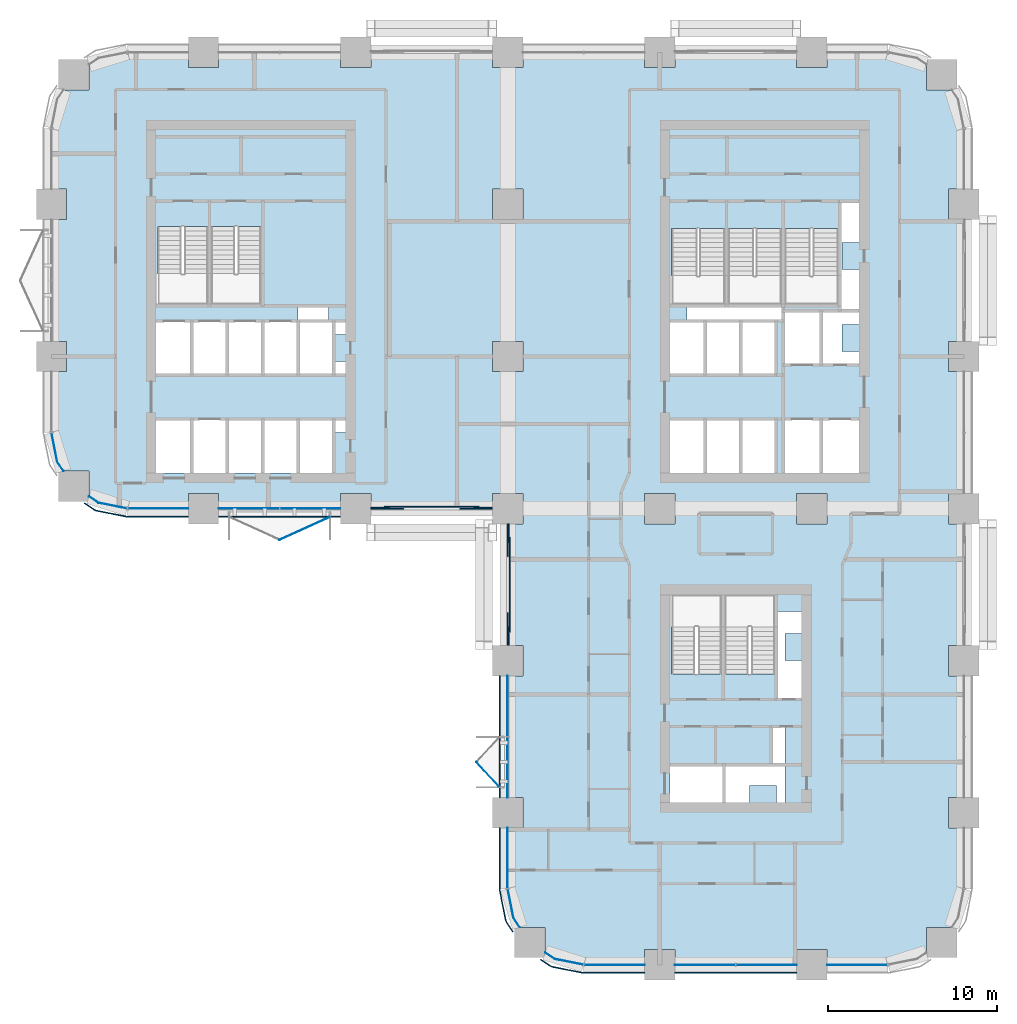
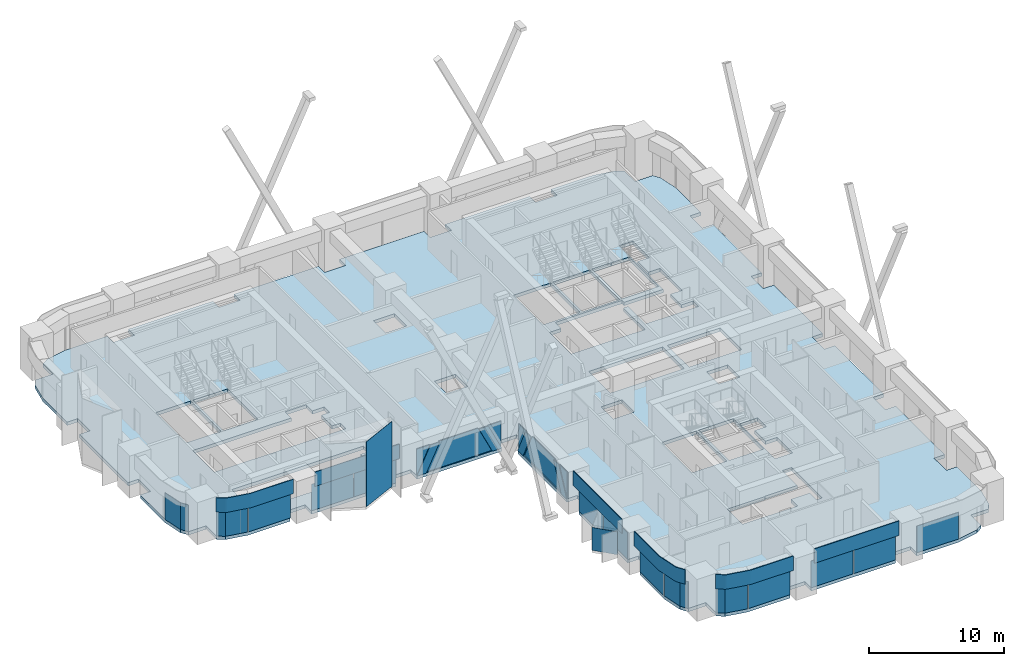
# One storey, part 9 of 19: 32 plates, 1 slab, 10 elements without a shape of their own.
"""IFC4 building model written with IfcOpenShell, lengths in metres."""

from ifc_helpers import new_model, si_unit, direction, frame, origin, origin_2d, place, context, subcontext, project, spatial, polyline, rectangle, outline, extrude, material, layer, layer_set, type_object, element, aggregate, save


model = new_model("IFC4")

# Units and contexts
model_context = context("Model", 3, precision=1e-05, world=origin(), true_north=direction((0.0, 1.0)))
body_context = subcontext(model_context, "Body", "Model", "MODEL_VIEW")
ifc_project = project(units=[si_unit("LENGTHUNIT", "METRE"), si_unit("AREAUNIT", "SQUARE_METRE"), si_unit("VOLUMEUNIT", "CUBIC_METRE"), si_unit("PLANEANGLEUNIT", "RADIAN"), si_unit("MASSUNIT", "GRAM", prefix="KILO")], contexts=[model_context])

# Site, building, storey
site_placement = place(None, origin())
site = spatial("IfcSite", under=ifc_project, at=site_placement, CompositionType="ELEMENT")
building_placement = place(site_placement, origin())
building = spatial("IfcBuilding", under=site, at=building_placement, Name="Tessera Arch", CompositionType="ELEMENT")
storey_placement = place(building_placement, frame((0.0, 0.0, 108.199951171875)))
storey = spatial("IfcBuildingStorey", under=building, at=storey_placement, Name="L25", CompositionType="ELEMENT", Elevation=108.199951171875)

# Curtain wall, plates
ifc_material_1 = material(Name="CW1 curtain wall")
curtain_wall_type_1 = type_object("IfcCurtainWallType", Name="CW1 curtain wall", PredefinedType="NOTDEFINED", material=ifc_material_1)
curtain_wall_1_placement = place(storey_placement, origin())
curtain_wall_1 = element("IfcCurtainWall", 1, at=curtain_wall_1_placement, inside=storey, type_object=curtain_wall_type_1, Name="CW1 curtain wall S27.0/1 L25", PredefinedType="NOTDEFINED")
ifc_material_2 = material(Name="Clear low-e glass", Category="glass")
ifc_material_3 = material(Name="Clear low-e glass", Category="glass")
ifc_layer_1 = layer(ifc_material_3, 0.028076171875)
ifc_layer_set_1 = layer_set([ifc_layer_1], Name="CW1 glass panel")
plate_type_1 = type_object("IfcPlateType", Name="CW1 glass panel", PredefinedType="CURTAIN_PANEL", material=ifc_layer_set_1)
plate_1_placement = place(storey_placement, frame((11.68505859375, 27.0, 0.0), z_axis=(0.0, 0.0, 1.0), x_axis=(1.0, 0.0, 0.0)))
plate_1 = element("IfcPlate", 2, at=plate_1_placement, type_object=plate_type_1, material=ifc_material_2, Name="CW1 glass panel S27.0/1 1.1.1", PredefinedType="CURTAIN_PANEL", context=body_context, shape_type="SweptSolid", body=[
    extrude(rectangle(XDim=3.570068359375, YDim=0.028076171875, at=origin_2d()), origin(), (0.0, 0.0, 1.0), 2.39990234375),
])
plate_2_placement = place(storey_placement, frame((15.31494140625, 27.0, 0.0), z_axis=(0.0, 0.0, 1.0), x_axis=(1.0, 0.0, 0.0)))
plate_2 = element("IfcPlate", 3, at=plate_2_placement, type_object=plate_type_1, material=ifc_material_2, Name="CW1 glass panel S27.0/1 1.2.1", PredefinedType="CURTAIN_PANEL", context=body_context, shape_type="SweptSolid", body=[
    extrude(rectangle(XDim=3.570068359375, YDim=0.028076171875, at=origin_2d()), origin(), (0.0, 0.0, 1.0), 2.39990234375),
])

curtain_wall_2_placement = place(storey_placement, origin())
curtain_wall_2 = element("IfcCurtainWall", 4, at=curtain_wall_2_placement, inside=storey, type_object=curtain_wall_type_1, Name="CW1 curtain wall W27.0/1 L25", PredefinedType="NOTDEFINED")
plate_3_placement = place(storey_placement, frame((27.0, 15.31494140625, 0.0), z_axis=(0.0, 0.0, 1.0), x_axis=(0.0, -1.0, 0.0)))
plate_3 = element("IfcPlate", 5, at=plate_3_placement, type_object=plate_type_1, material=ifc_material_2, Name="CW1 glass panel W27.0/1 1.1.1", PredefinedType="CURTAIN_PANEL", context=body_context, shape_type="SweptSolid", body=[
    extrude(rectangle(XDim=3.570068359375, YDim=0.028076171875, at=origin_2d()), origin(), (0.0, 0.0, 1.0), 2.39990234375),
])
plate_4_placement = place(storey_placement, frame((27.0, 11.68505859375, 0.0), z_axis=(0.0, 0.0, 1.0), x_axis=(0.0, -1.0, 0.0)))
plate_4 = element("IfcPlate", 6, at=plate_4_placement, type_object=plate_type_1, material=ifc_material_2, Name="CW1 glass panel W27.0/1 1.2.1", PredefinedType="CURTAIN_PANEL", context=body_context, shape_type="SweptSolid", body=[
    extrude(rectangle(XDim=3.570068359375, YDim=0.028076171875, at=origin_2d()), origin(), (0.0, 0.0, 1.0), 2.39990234375),
])

curtain_wall_3_placement = place(storey_placement, origin())
curtain_wall_3 = element("IfcCurtainWall", 7, at=curtain_wall_3_placement, inside=storey, type_object=curtain_wall_type_1, Name="CW1 curtain wall S0.27/1 L25", PredefinedType="NOTDEFINED")
plate_5_placement = place(storey_placement, frame((38.68505859375, 0.0, 0.0), z_axis=(0.0, 0.0, 1.0), x_axis=(1.0, 0.0, 0.0)))
plate_5 = element("IfcPlate", 8, at=plate_5_placement, type_object=plate_type_1, material=ifc_material_2, Name="CW1 glass panel S0.27/1 1.1.1", PredefinedType="CURTAIN_PANEL", context=body_context, shape_type="SweptSolid", body=[
    extrude(rectangle(XDim=3.570068359375, YDim=0.028076171875, at=origin_2d()), origin(), (0.0, 0.0, 1.0), 2.39990234375),
])
plate_6_placement = place(storey_placement, frame((42.31494140625, 0.0, 0.0), z_axis=(0.0, 0.0, 1.0), x_axis=(1.0, 0.0, 0.0)))
plate_6 = element("IfcPlate", 9, at=plate_6_placement, type_object=plate_type_1, material=ifc_material_2, Name="CW1 glass panel S0.27/1 1.2.1", PredefinedType="CURTAIN_PANEL", context=body_context, shape_type="SweptSolid", body=[
    extrude(rectangle(XDim=3.570068359375, YDim=0.028076171875, at=origin_2d()), origin(), (0.0, 0.0, 1.0), 2.39990234375),
])

# Plate
ifc_material_4 = material(Name="Pale anodised aluminium panel", Category="aluminium")
ifc_layer_2 = layer(ifc_material_4, 0.06005859375)
ifc_layer_set_2 = layer_set([ifc_layer_2], Name="CW1 spandrel panel")
plate_type_2 = type_object("IfcPlateType", Name="CW1 spandrel panel", PredefinedType="CURTAIN_PANEL", material=ifc_layer_set_2)
plate_7_placement = place(storey_placement, frame((13.5, 26.52001953125, 2.5), z_axis=(0.0, 0.0, 1.0), x_axis=(1.0, 0.0, 0.0)))
plate_7 = element("IfcPlate", 10, at=plate_7_placement, type_object=plate_type_2, Name="CW1 spandrel panel S27.0/1", PredefinedType="CURTAIN_PANEL", context=body_context, shape_type="SweptSolid", body=[
    extrude(rectangle(XDim=7.199951171875, YDim=0.06005859375, at=origin_2d()), origin(), (0.0, 0.0, 1.0), 1.300048828125),
])

aggregate(curtain_wall_1, [plate_1, plate_2, plate_7])

plate_8_placement = place(storey_placement, frame((26.52001953125, 13.5, 2.5), z_axis=(0.0, 0.0, 1.0), x_axis=(0.0, -1.0, 0.0)))
plate_8 = element("IfcPlate", 11, at=plate_8_placement, type_object=plate_type_2, Name="CW1 spandrel panel W27.0/1", PredefinedType="CURTAIN_PANEL", context=body_context, shape_type="SweptSolid", body=[
    extrude(rectangle(XDim=7.199951171875, YDim=0.06005859375, at=origin_2d()), origin(), (0.0, 0.0, 1.0), 1.300048828125),
])

aggregate(curtain_wall_2, [plate_3, plate_4, plate_8])

plate_9_placement = place(storey_placement, frame((40.5, -0.47998046875, 2.5), z_axis=(0.0, 0.0, 1.0), x_axis=(1.0, 0.0, 0.0)))
plate_9 = element("IfcPlate", 12, at=plate_9_placement, type_object=plate_type_2, Name="CW1 spandrel panel S0.27/1", PredefinedType="CURTAIN_PANEL", context=body_context, shape_type="SweptSolid", body=[
    extrude(rectangle(XDim=7.199951171875, YDim=0.06005859375, at=origin_2d()), origin(), (0.0, 0.0, 1.0), 1.300048828125),
])

aggregate(curtain_wall_3, [plate_5, plate_6, plate_9])

# Curtain wall, plate
ifc_material_5 = material(Name="CW2 curtain wall")
curtain_wall_type_2 = type_object("IfcCurtainWallType", Name="CW2 curtain wall", PredefinedType="NOTDEFINED", material=ifc_material_5)
curtain_wall_4_placement = place(storey_placement, origin())
curtain_wall_4 = element("IfcCurtainWall", 13, at=curtain_wall_4_placement, inside=storey, type_object=curtain_wall_type_2, Name="CW2 curtain wall W0.27/2 L25", PredefinedType="NOTDEFINED")
ifc_material_6 = material(Name="Clear low-e glass", Category="glass")
ifc_layer_3 = layer(ifc_material_6, 0.028076171875)
ifc_layer_set_3 = layer_set([ifc_layer_3], Name="CW2 glass panel")
plate_type_3 = type_object("IfcPlateType", Name="CW2 glass panel", PredefinedType="CURTAIN_PANEL", material=ifc_layer_set_3)
plate_10_placement = place(storey_placement, origin())
plate_10 = element("IfcPlate", 14, at=plate_10_placement, type_object=plate_type_3, material=ifc_material_2, Name="CW2 curved glass panel W0.27/2 2.1", PredefinedType="CURTAIN_PANEL", context=body_context, shape_type="SweptSolid", body=[
    extrude(outline(polyline([(0.355712890625, 29.783447265625), (0.021484375, 31.46337890625), (-0.005859375, 31.4580078125), (0.329345703125, 29.7724609375), (0.705078125, 29.210205078125), (0.728271484375, 29.225830078125), (0.355712890625, 29.783447265625)])), origin(), (0.0, 0.0, 1.0), 2.400146484375),
])
aggregate(curtain_wall_4, [plate_10])

# Curtain wall, plates
curtain_wall_5_placement = place(storey_placement, origin())
curtain_wall_5 = element("IfcCurtainWall", 15, at=curtain_wall_5_placement, inside=storey, type_object=curtain_wall_type_2, Name="CW2 curtain wall S27.0/0 L25", PredefinedType="NOTDEFINED")
plate_11_placement = place(storey_placement, frame((6.320068359375, 27.0, 0.0), z_axis=(0.0, 0.0, 1.0), x_axis=(1.0, 0.0, 0.0)))
plate_11 = element("IfcPlate", 16, at=plate_11_placement, type_object=plate_type_3, material=ifc_material_2, Name="CW2 glass panel S27.0/0 1.1", PredefinedType="CURTAIN_PANEL", context=body_context, shape_type="SweptSolid", body=[
    extrude(rectangle(XDim=3.56005859375, YDim=0.028076171875, at=origin_2d()), origin(), (0.0, 0.0, 1.0), 2.39990234375),
])
plate_12_placement = place(storey_placement, origin())
plate_12 = element("IfcPlate", 17, at=plate_12_placement, type_object=plate_type_3, material=ifc_material_2, Name="CW2 curved glass panel S27.0/0 2.1", PredefinedType="CURTAIN_PANEL", context=body_context, shape_type="SweptSolid", body=[
    extrude(outline(polyline([(2.783447265625, 27.355712890625), (2.225830078125, 27.728271484375), (2.210205078125, 27.705078125), (2.7724609375, 27.329345703125), (4.4580078125, 26.994140625), (4.46337890625, 27.021484375), (2.783447265625, 27.355712890625)])), origin(), (0.0, 0.0, 1.0), 2.400146484375),
])

curtain_wall_6_placement = place(storey_placement, origin())
curtain_wall_6 = element("IfcCurtainWall", 18, at=curtain_wall_6_placement, inside=storey, type_object=curtain_wall_type_2, Name="CW2 curtain wall W27.0/2 L25", PredefinedType="NOTDEFINED")
plate_13_placement = place(storey_placement, frame((27.0, 6.320068359375, 0.0), z_axis=(0.0, 0.0, 1.0), x_axis=(0.0, -1.0, 0.0)))
plate_13 = element("IfcPlate", 19, at=plate_13_placement, type_object=plate_type_3, material=ifc_material_2, Name="CW2 glass panel W27.0/2 1.1", PredefinedType="CURTAIN_PANEL", context=body_context, shape_type="SweptSolid", body=[
    extrude(rectangle(XDim=3.56005859375, YDim=0.028076171875, at=origin_2d()), origin(), (0.0, 0.0, 1.0), 2.39990234375),
])
plate_14_placement = place(storey_placement, origin())
plate_14 = element("IfcPlate", 20, at=plate_14_placement, type_object=plate_type_3, material=ifc_material_2, Name="CW2 curved glass panel W27.0/2 2.1", PredefinedType="CURTAIN_PANEL", context=body_context, shape_type="SweptSolid", body=[
    extrude(outline(polyline([(27.355712890625, 2.783447265625), (27.021484375, 4.46337890625), (26.994140625, 4.4580078125), (27.329345703125, 2.7724609375), (27.705078125, 2.210205078125), (27.728271484375, 2.225830078125), (27.355712890625, 2.783447265625)])), origin(), (0.0, 0.0, 1.0), 2.400146484375),
])

curtain_wall_7_placement = place(storey_placement, origin())
curtain_wall_7 = element("IfcCurtainWall", 21, at=curtain_wall_7_placement, inside=storey, type_object=curtain_wall_type_2, Name="CW2 curtain wall S0.27/0 L25", PredefinedType="NOTDEFINED")
plate_15_placement = place(storey_placement, frame((33.320068359375, 0.0, 0.0), z_axis=(0.0, 0.0, 1.0), x_axis=(1.0, 0.0, 0.0)))
plate_15 = element("IfcPlate", 22, at=plate_15_placement, type_object=plate_type_3, material=ifc_material_2, Name="CW2 glass panel S0.27/0 1.1", PredefinedType="CURTAIN_PANEL", context=body_context, shape_type="SweptSolid", body=[
    extrude(rectangle(XDim=3.56005859375, YDim=0.028076171875, at=origin_2d()), origin(), (0.0, 0.0, 1.0), 2.39990234375),
])
plate_16_placement = place(storey_placement, origin())
plate_16 = element("IfcPlate", 23, at=plate_16_placement, type_object=plate_type_3, material=ifc_material_2, Name="CW2 curved glass panel S0.27/0 2.1", PredefinedType="CURTAIN_PANEL", context=body_context, shape_type="SweptSolid", body=[
    extrude(outline(polyline([(29.783447265625, 0.355712890625), (29.225830078125, 0.728271484375), (29.210205078125, 0.705078125), (29.7724609375, 0.329345703125), (31.4580078125, -0.005859375), (31.46337890625, 0.021484375), (29.783447265625, 0.355712890625)])), origin(), (0.0, 0.0, 1.0), 2.400146484375),
])

# Curtain wall, plate
curtain_wall_8_placement = place(storey_placement, origin())
curtain_wall_8 = element("IfcCurtainWall", 24, at=curtain_wall_8_placement, inside=storey, type_object=curtain_wall_type_2, Name="CW2 curtain wall S0.27/2 L25", PredefinedType="NOTDEFINED")
plate_17_placement = place(storey_placement, frame((47.679931640625, 0.0, 0.0), z_axis=(0.0, 0.0, 1.0), x_axis=(1.0, 0.0, 0.0)))
plate_17 = element("IfcPlate", 25, at=plate_17_placement, type_object=plate_type_3, material=ifc_material_2, Name="CW2 glass panel S0.27/2 1.1", PredefinedType="CURTAIN_PANEL", context=body_context, shape_type="SweptSolid", body=[
    extrude(rectangle(XDim=3.56005859375, YDim=0.028076171875, at=origin_2d()), origin(), (0.0, 0.0, 1.0), 2.39990234375),
])
aggregate(curtain_wall_8, [plate_17])

# Plate
ifc_material_7 = material(Name="Pale anodised aluminium panel", Category="aluminium")
ifc_layer_4 = layer(ifc_material_7, 0.06005859375)
ifc_layer_set_4 = layer_set([ifc_layer_4], Name="CW2 spandrel panel")
plate_type_4 = type_object("IfcPlateType", Name="CW2 spandrel panel", PredefinedType="CURTAIN_PANEL", material=ifc_layer_set_4)
plate_18_placement = place(storey_placement, frame((0.0, 0.0, 2.5)))
plate_18 = element("IfcPlate", 26, at=plate_18_placement, type_object=plate_type_4, Name="CW2 spandrel panel S27.0/0", PredefinedType="CURTAIN_PANEL", context=body_context, shape_type="SweptSolid", body=[
    extrude(outline(polyline([(2.52734375, 26.96875), (1.968017578125, 27.342529296875), (1.9345703125, 27.292724609375), (2.4951171875, 26.91796875), (2.537353515625, 26.892822265625), (2.582763671875, 26.871337890625), (2.6298828125, 26.8544921875), (2.677734375, 26.842529296875), (4.401123046875, 26.499755859375), (4.449951171875, 26.492431640625), (4.499267578125, 26.489990234375), (8.10009765625, 26.489990234375), (8.10009765625, 26.550048828125), (4.500732421875, 26.550048828125), (4.455810546875, 26.55224609375), (4.411376953125, 26.558837890625), (2.69091796875, 26.90087890625), (2.647216796875, 26.911865234375), (2.605712890625, 26.9267578125), (2.565673828125, 26.94580078125), (2.52734375, 26.96875)])), origin(), (0.0, 0.0, 1.0), 1.300048828125),
])

aggregate(curtain_wall_5, [plate_11, plate_12, plate_18])

plate_19_placement = place(storey_placement, frame((0.0, 0.0, 2.5)))
plate_19 = element("IfcPlate", 27, at=plate_19_placement, type_object=plate_type_4, Name="CW2 spandrel panel W27.0/2", PredefinedType="CURTAIN_PANEL", context=body_context, shape_type="SweptSolid", body=[
    extrude(outline(polyline([(26.550048828125, 4.500732421875), (26.550048828125, 8.10009765625), (26.489990234375, 8.10009765625), (26.489990234375, 4.499267578125), (26.492431640625, 4.449951171875), (26.499755859375, 4.401123046875), (26.842529296875, 2.677734375), (26.8544921875, 2.6298828125), (26.871337890625, 2.582763671875), (26.892822265625, 2.537353515625), (26.91796875, 2.4951171875), (27.292724609375, 1.9345703125), (27.342529296875, 1.968017578125), (26.96875, 2.52734375), (26.94580078125, 2.565673828125), (26.9267578125, 2.605712890625), (26.911865234375, 2.647216796875), (26.90087890625, 2.69091796875), (26.558837890625, 4.411376953125), (26.55224609375, 4.455810546875), (26.550048828125, 4.500732421875)])), origin(), (0.0, 0.0, 1.0), 1.300048828125),
])

aggregate(curtain_wall_6, [plate_13, plate_14, plate_19])

plate_20_placement = place(storey_placement, frame((0.0, 0.0, 2.5)))
plate_20 = element("IfcPlate", 28, at=plate_20_placement, type_object=plate_type_4, Name="CW2 spandrel panel S0.27/0", PredefinedType="CURTAIN_PANEL", context=body_context, shape_type="SweptSolid", body=[
    extrude(outline(polyline([(29.52734375, -0.03125), (28.968017578125, 0.342529296875), (28.9345703125, 0.292724609375), (29.4951171875, -0.08203125), (29.537353515625, -0.107177734375), (29.582763671875, -0.128662109375), (29.6298828125, -0.1455078125), (29.677734375, -0.157470703125), (31.401123046875, -0.500244140625), (31.449951171875, -0.507568359375), (31.499267578125, -0.510009765625), (35.10009765625, -0.510009765625), (35.10009765625, -0.449951171875), (31.500732421875, -0.449951171875), (31.455810546875, -0.44775390625), (31.411376953125, -0.441162109375), (29.69091796875, -0.09912109375), (29.647216796875, -0.088134765625), (29.605712890625, -0.0732421875), (29.565673828125, -0.05419921875), (29.52734375, -0.03125)])), origin(), (0.0, 0.0, 1.0), 1.300048828125),
])

aggregate(curtain_wall_7, [plate_15, plate_16, plate_20])

# Curtain wall, plates
ifc_material_8 = material(Name="CW3 curtain wall")
curtain_wall_type_3 = type_object("IfcCurtainWallType", Name="CW3 curtain wall", PredefinedType="NOTDEFINED", material=ifc_material_8)
curtain_wall_9_placement = place(storey_placement, origin())
curtain_wall_9 = element("IfcCurtainWall", 29, at=curtain_wall_9_placement, inside=storey, type_object=curtain_wall_type_3, Name="CW3 curtain wall S27.0/2 L25", PredefinedType="NOTDEFINED")
ifc_material_9 = material(Name="Pale anodised aluminium panel", Category="aluminium")
ifc_layer_5 = layer(ifc_material_9, 0.06005859375)
ifc_layer_set_5 = layer_set([ifc_layer_5], Name="CW3 diagonal panel")
plate_type_5 = type_object("IfcPlateType", Name="CW3 diagonal panel", PredefinedType="CURTAIN_PANEL", material=ifc_layer_set_5)
plate_21_placement = place(storey_placement, frame((26.10009765625, 26.969970703125, 0.0), z_axis=(0.0, -1.0, 0.0), x_axis=(0.0, 0.0, 1.0)))
plate_21 = element("IfcPlate", 30, at=plate_21_placement, type_object=plate_type_5, Name="CW3 diagonal panel S27.0/2 1", PredefinedType="CURTAIN_PANEL", context=body_context, shape_type="SweptSolid", body=[
    extrude(outline(polyline([(0.0, 0.0), (0.033447265625, 0.0), (2.400146484375, 1.135986328125), (2.400146484375, 1.936279296875), (0.0, 0.7841796875), (0.0, 0.0)])), origin(), (0.0, 0.0, -1.0), 0.06005859375),
])
plate_22_placement = place(storey_placement, frame((20.836181640625, 26.969970703125, 2.400146484375), z_axis=(0.0, -1.0, 0.0), x_axis=(-1.0, 0.0, 0.0)))
plate_22 = element("IfcPlate", 31, at=plate_22_placement, type_object=plate_type_5, Name="CW3 diagonal panel S27.0/2 2", PredefinedType="CURTAIN_PANEL", context=body_context, shape_type="SweptSolid", body=[
    extrude(outline(polyline([(0.0, 0.0), (0.80029296875, 0.0), (1.936279296875, 2.36669921875), (1.936279296875, 2.400146484375), (1.152099609375, 2.400146484375), (0.0, 0.0)])), origin(), (0.0, 0.0, -1.0), 0.06005859375),
])
plate_23_placement = place(storey_placement, frame((18.89990234375, 27.030029296875, 2.400146484375), z_axis=(0.0, -1.0, 0.0), x_axis=(0.0, 0.0, -1.0)))
plate_23 = element("IfcPlate", 32, at=plate_23_placement, type_object=plate_type_5, Name="CW3 diagonal panel S27.0/2 3", PredefinedType="CURTAIN_PANEL", context=body_context, shape_type="SweptSolid", body=[
    extrude(outline(polyline([(0.0, 0.0), (2.36669921875, 0.0), (0.0, 1.135986328125), (0.0, 0.0)])), origin(), (0.0, 0.0, -1.0), 0.06005859375),
])
plate_24_placement = place(storey_placement, frame((24.163818359375, 27.090087890625, 2.400146484375), z_axis=(0.0, -1.0, 0.0), x_axis=(-1.0, 0.0, 0.0)))
plate_24 = element("IfcPlate", 33, at=plate_24_placement, type_object=plate_type_5, Name="CW3 diagonal panel S27.0/2 4", PredefinedType="CURTAIN_PANEL", context=body_context, shape_type="SweptSolid", body=[
    extrude(outline(polyline([(0.0, 0.0), (3.32763671875, 0.0), (4.479736328125, 2.400146484375), (-1.152099609375, 2.400146484375), (0.0, 0.0)])), origin(), (0.0, 0.0, -1.0), 0.06005859375),
])
plate_25_placement = place(storey_placement, frame((26.10009765625, 27.030029296875, 2.400146484375), z_axis=(0.0, -1.0, 0.0), x_axis=(-1.0, 0.0, 0.0)))
plate_25 = element("IfcPlate", 34, at=plate_25_placement, type_object=plate_type_5, Name="CW3 diagonal panel S27.0/2 5", PredefinedType="CURTAIN_PANEL", context=body_context, shape_type="SweptSolid", body=[
    extrude(outline(polyline([(0.0, 0.0), (1.135986328125, 0.0), (0.0, 2.36669921875), (0.0, 0.0)])), origin(), (0.0, 0.0, -1.0), 0.06005859375),
])
aggregate(curtain_wall_9, [plate_21, plate_22, plate_23, plate_24, plate_25])

curtain_wall_10_placement = place(storey_placement, origin())
curtain_wall_10 = element("IfcCurtainWall", 35, at=curtain_wall_10_placement, inside=storey, type_object=curtain_wall_type_3, Name="CW3 curtain wall W27.0/0 L25", PredefinedType="NOTDEFINED")
plate_26_placement = place(storey_placement, frame((26.969970703125, 18.89990234375, 0.0), z_axis=(-1.0, 0.0, 0.0), x_axis=(0.0, 0.0, 1.0)))
plate_26 = element("IfcPlate", 36, at=plate_26_placement, type_object=plate_type_5, Name="CW3 diagonal panel W27.0/0 1", PredefinedType="CURTAIN_PANEL", context=body_context, shape_type="SweptSolid", body=[
    extrude(outline(polyline([(0.0, 0.0), (0.033447265625, 0.0), (2.400146484375, 1.135986328125), (2.400146484375, 1.936279296875), (0.0, 0.7841796875), (0.0, 0.0)])), origin(), (0.0, 0.0, -1.0), 0.06005859375),
])
plate_27_placement = place(storey_placement, frame((26.969970703125, 24.163818359375, 2.400146484375), z_axis=(-1.0, 0.0, 0.0), x_axis=(0.0, 1.0, 0.0)))
plate_27 = element("IfcPlate", 37, at=plate_27_placement, type_object=plate_type_5, Name="CW3 diagonal panel W27.0/0 2", PredefinedType="CURTAIN_PANEL", context=body_context, shape_type="SweptSolid", body=[
    extrude(outline(polyline([(0.0, 0.0), (0.80029296875, 0.0), (1.936279296875, 2.36669921875), (1.936279296875, 2.400146484375), (1.152099609375, 2.400146484375), (0.0, 0.0)])), origin(), (0.0, 0.0, -1.0), 0.06005859375),
])
plate_28_placement = place(storey_placement, frame((27.030029296875, 26.10009765625, 2.400146484375), z_axis=(-1.0, 0.0, 0.0), x_axis=(0.0, 0.0, -1.0)))
plate_28 = element("IfcPlate", 38, at=plate_28_placement, type_object=plate_type_5, Name="CW3 diagonal panel W27.0/0 3", PredefinedType="CURTAIN_PANEL", context=body_context, shape_type="SweptSolid", body=[
    extrude(outline(polyline([(0.0, 0.0), (2.36669921875, 0.0), (0.0, 1.135986328125), (0.0, 0.0)])), origin(), (0.0, 0.0, -1.0), 0.06005859375),
])
plate_29_placement = place(storey_placement, frame((27.090087890625, 20.836181640625, 2.400146484375), z_axis=(-1.0, 0.0, 0.0), x_axis=(0.0, 1.0, 0.0)))
plate_29 = element("IfcPlate", 39, at=plate_29_placement, type_object=plate_type_5, Name="CW3 diagonal panel W27.0/0 4", PredefinedType="CURTAIN_PANEL", context=body_context, shape_type="SweptSolid", body=[
    extrude(outline(polyline([(0.0, 0.0), (3.32763671875, 0.0), (4.479736328125, 2.400146484375), (-1.152099609375, 2.400146484375), (0.0, 0.0)])), origin(), (0.0, 0.0, -1.0), 0.06005859375),
])
plate_30_placement = place(storey_placement, frame((27.030029296875, 18.89990234375, 2.400146484375), z_axis=(-1.0, 0.0, 0.0), x_axis=(0.0, 1.0, 0.0)))
plate_30 = element("IfcPlate", 40, at=plate_30_placement, type_object=plate_type_5, Name="CW3 diagonal panel W27.0/0 5", PredefinedType="CURTAIN_PANEL", context=body_context, shape_type="SweptSolid", body=[
    extrude(outline(polyline([(0.0, 0.0), (1.135986328125, 0.0), (0.0, 2.36669921875), (0.0, 0.0)])), origin(), (0.0, 0.0, -1.0), 0.06005859375),
])
aggregate(curtain_wall_10, [plate_26, plate_27, plate_28, plate_29, plate_30])

# Slab
ifc_material_10 = material(Name="Concrete C40/50", Category="concrete")
ifc_layer_6 = layer(ifc_material_10, 0.300048828125)
ifc_layer_set_6 = layer_set([ifc_layer_6], Name="Floor slab 300 Concrete C40/50")
slab_type = type_object("IfcSlabType", Name="Floor slab 300 Concrete C40/50", PredefinedType="FLOOR", material=ifc_layer_set_6)
slab_placement = place(storey_placement, frame((0.0, 0.0, -0.300048828125)))
element("IfcSlab", 41, at=slab_placement, inside=storey, type_object=slab_type, Name="Floor slab L25 1", PredefinedType="FLOOR", context=body_context, shape_type="SweptSolid", body=[
    extrude(outline(polyline([(49.5, 54.0), (51.22216796875, 53.657470703125), (51.781982421875, 53.283447265625), (51.781982421875, 51.781982421875), (53.283447265625, 51.781982421875), (53.657470703125, 51.22216796875), (54.0, 49.5), (54.0, 45.89990234375), (53.10009765625, 45.89990234375), (53.10009765625, 44.10009765625), (54.0, 44.10009765625), (54.0, 36.89990234375), (53.10009765625, 36.89990234375), (53.10009765625, 35.10009765625), (54.0, 35.10009765625), (54.0, 27.89990234375), (53.10009765625, 27.89990234375), (53.10009765625, 26.10009765625), (54.0, 26.10009765625), (54.0, 18.89990234375), (53.10009765625, 18.89990234375), (53.10009765625, 17.10009765625), (54.0, 17.10009765625), (54.0, 9.89990234375), (53.10009765625, 9.89990234375), (53.10009765625, 8.10009765625), (54.0, 8.10009765625), (54.0, 4.5), (53.657470703125, 2.77783203125), (53.283447265625, 2.218017578125), (51.781982421875, 2.218017578125), (51.781982421875, 0.716552734375), (51.22216796875, 0.342529296875), (49.5, 0.0), (45.89990234375, 0.0), (45.89990234375, 0.89990234375), (44.10009765625, 0.89990234375), (44.10009765625, 0.0), (36.89990234375, 0.0), (36.89990234375, 0.89990234375), (35.10009765625, 0.89990234375), (35.10009765625, 0.0), (31.5, 0.0), (29.77783203125, 0.342529296875), (29.218017578125, 0.716552734375), (29.218017578125, 2.218017578125), (27.716552734375, 2.218017578125), (27.342529296875, 2.77783203125), (27.0, 4.5), (27.0, 8.10009765625), (27.89990234375, 8.10009765625), (27.89990234375, 9.89990234375), (27.0, 9.89990234375), (27.0, 17.10009765625), (27.89990234375, 17.10009765625), (27.89990234375, 18.89990234375), (27.0, 18.89990234375), (27.0, 26.10009765625), (27.89990234375, 26.10009765625), (27.89990234375, 27.89990234375), (26.10009765625, 27.89990234375), (26.10009765625, 27.0), (18.89990234375, 27.0), (18.89990234375, 27.89990234375), (17.10009765625, 27.89990234375), (17.10009765625, 27.0), (9.89990234375, 27.0), (9.89990234375, 27.89990234375), (8.10009765625, 27.89990234375), (8.10009765625, 27.0), (4.5, 27.0), (2.77783203125, 27.342529296875), (2.218017578125, 27.716552734375), (2.218017578125, 29.218017578125), (0.716552734375, 29.218017578125), (0.342529296875, 29.77783203125), (0.0, 31.5), (0.0, 35.10009765625), (0.89990234375, 35.10009765625), (0.89990234375, 36.89990234375), (0.0, 36.89990234375), (0.0, 44.10009765625), (0.89990234375, 44.10009765625), (0.89990234375, 45.89990234375), (0.0, 45.89990234375), (0.0, 49.5), (0.342529296875, 51.22216796875), (0.716552734375, 51.781982421875), (2.218017578125, 51.781982421875), (2.218017578125, 53.283447265625), (2.77783203125, 53.657470703125), (4.5, 54.0), (8.10009765625, 54.0), (8.10009765625, 53.10009765625), (9.89990234375, 53.10009765625), (9.89990234375, 54.0), (17.10009765625, 54.0), (17.10009765625, 53.10009765625), (18.89990234375, 53.10009765625), (18.89990234375, 54.0), (26.10009765625, 54.0), (26.10009765625, 53.10009765625), (27.89990234375, 53.10009765625), (27.89990234375, 54.0), (35.10009765625, 54.0), (35.10009765625, 53.10009765625), (36.89990234375, 53.10009765625), (36.89990234375, 54.0), (44.10009765625, 54.0), (44.10009765625, 53.10009765625), (45.89990234375, 53.10009765625), (45.89990234375, 54.0), (49.5, 54.0)]), holes=[polyline([(6.199951171875, 32.300048828125), (6.199951171875, 29.10009765625), (8.300048828125, 29.10009765625), (10.39990234375, 29.10009765625), (12.5, 29.10009765625), (14.60009765625, 29.10009765625), (16.699951171875, 29.10009765625), (16.699951171875, 31.5), (17.39990234375, 31.5), (17.39990234375, 32.300048828125), (16.699951171875, 32.300048828125), (14.60009765625, 32.300048828125), (12.5, 32.300048828125), (10.39990234375, 32.300048828125), (8.300048828125, 32.300048828125), (6.199951171875, 32.300048828125)]), polyline([(14.60009765625, 34.89990234375), (16.699951171875, 34.89990234375), (17.39990234375, 34.89990234375), (17.39990234375, 35.699951171875), (16.699951171875, 35.699951171875), (16.699951171875, 37.300048828125), (17.39990234375, 37.300048828125), (17.39990234375, 38.10009765625), (16.699951171875, 38.10009765625), (16.39990234375, 38.10009765625), (16.39990234375, 39.0), (14.60009765625, 39.0), (14.60009765625, 38.10009765625), (12.5, 38.10009765625), (10.39990234375, 38.10009765625), (8.300048828125, 38.10009765625), (6.199951171875, 38.10009765625), (6.199951171875, 34.89990234375), (8.300048828125, 34.89990234375), (10.39990234375, 34.89990234375), (12.5, 34.89990234375), (14.60009765625, 34.89990234375)]), polyline([(11.0, 43.699951171875), (10.85009765625, 43.699951171875), (10.85009765625, 43.68994140625), (9.449951171875, 43.68994140625), (9.449951171875, 39.199951171875), (12.39990234375, 39.199951171875), (12.39990234375, 43.68994140625), (11.0, 43.68994140625), (11.0, 43.699951171875)]), polyline([(7.85009765625, 43.699951171875), (7.699951171875, 43.699951171875), (7.699951171875, 43.68994140625), (6.300048828125, 43.68994140625), (6.300048828125, 39.199951171875), (9.25, 39.199951171875), (9.25, 43.68994140625), (7.85009765625, 43.68994140625), (7.85009765625, 43.699951171875)]), polyline([(43.39990234375, 9.60009765625), (43.39990234375, 11.89990234375), (43.39990234375, 14.10009765625), (42.60009765625, 14.10009765625), (42.60009765625, 11.89990234375), (39.800048828125, 11.89990234375), (39.800048828125, 11.85009765625), (36.60009765625, 11.85009765625), (36.60009765625, 9.60009765625), (39.800048828125, 9.60009765625), (41.300048828125, 9.60009765625), (41.300048828125, 10.60009765625), (42.89990234375, 10.60009765625), (42.89990234375, 9.60009765625), (43.39990234375, 9.60009765625)]), polyline([(41.25, 17.199951171875), (41.39990234375, 17.199951171875), (41.39990234375, 17.2099609375), (42.800048828125, 17.2099609375), (42.800048828125, 21.699951171875), (39.85009765625, 21.699951171875), (39.85009765625, 17.2099609375), (41.25, 17.2099609375), (41.25, 17.199951171875)]), polyline([(38.10009765625, 17.199951171875), (38.25, 17.199951171875), (38.25, 17.2099609375), (39.64990234375, 17.2099609375), (39.64990234375, 21.699951171875), (36.699951171875, 21.699951171875), (36.699951171875, 17.2099609375), (38.10009765625, 17.2099609375), (38.10009765625, 17.199951171875)]), polyline([(35.10009765625, 26.10009765625), (36.89990234375, 26.10009765625), (36.89990234375, 27.89990234375), (35.10009765625, 27.89990234375), (35.10009765625, 26.10009765625)]), polyline([(38.699951171875, 29.10009765625), (40.800048828125, 29.10009765625), (42.89990234375, 29.10009765625), (42.89990234375, 32.300048828125), (40.800048828125, 32.300048828125), (38.699951171875, 32.300048828125), (36.60009765625, 32.300048828125), (36.60009765625, 29.10009765625), (38.699951171875, 29.10009765625)]), polyline([(26.10009765625, 35.10009765625), (27.89990234375, 35.10009765625), (27.89990234375, 36.89990234375), (26.10009765625, 36.89990234375), (26.10009765625, 35.10009765625)]), polyline([(43.300048828125, 39.0), (37.60009765625, 39.0), (37.60009765625, 38.10009765625), (36.60009765625, 38.10009765625), (36.60009765625, 34.89990234375), (38.699951171875, 34.89990234375), (40.800048828125, 34.89990234375), (42.89990234375, 34.89990234375), (42.89990234375, 38.10009765625), (43.300048828125, 38.10009765625), (43.300048828125, 35.5), (45.550048828125, 35.5), (47.800048828125, 35.5), (47.800048828125, 36.300048828125), (46.800048828125, 36.300048828125), (46.800048828125, 37.89990234375), (47.800048828125, 37.89990234375), (47.800048828125, 38.699951171875), (47.800048828125, 41.14990234375), (46.800048828125, 41.14990234375), (46.800048828125, 42.75), (47.800048828125, 42.75), (47.800048828125, 45.199951171875), (46.64990234375, 45.199951171875), (46.64990234375, 38.699951171875), (45.550048828125, 38.699951171875), (43.300048828125, 38.699951171875), (43.300048828125, 39.0)]), polyline([(38.330078125, 43.580078125), (38.219970703125, 43.580078125), (38.219970703125, 43.570068359375), (36.699951171875, 43.570068359375), (36.699951171875, 39.199951171875), (39.85009765625, 39.199951171875), (39.85009765625, 43.570068359375), (38.330078125, 43.570068359375), (38.330078125, 43.580078125)]), polyline([(26.10009765625, 44.10009765625), (27.89990234375, 44.10009765625), (27.89990234375, 45.89990234375), (26.10009765625, 45.89990234375), (26.10009765625, 44.10009765625)]), polyline([(42.89990234375, 15.699951171875), (44.39990234375, 15.699951171875), (44.39990234375, 18.0), (43.39990234375, 18.0), (43.39990234375, 19.60009765625), (44.39990234375, 19.60009765625), (44.39990234375, 20.89990234375), (42.89990234375, 20.89990234375), (42.89990234375, 15.699951171875)]), polyline([(44.10009765625, 26.10009765625), (45.89990234375, 26.10009765625), (45.89990234375, 27.89990234375), (44.10009765625, 27.89990234375), (44.10009765625, 26.10009765625)]), polyline([(45.550048828125, 29.10009765625), (47.800048828125, 29.10009765625), (47.800048828125, 32.300048828125), (45.550048828125, 32.300048828125), (43.300048828125, 32.300048828125), (43.300048828125, 29.10009765625), (45.550048828125, 29.10009765625)]), polyline([(45.030029296875, 43.580078125), (44.919921875, 43.580078125), (44.919921875, 43.570068359375), (43.39990234375, 43.570068359375), (43.39990234375, 39.199951171875), (46.550048828125, 39.199951171875), (46.550048828125, 43.570068359375), (45.030029296875, 43.570068359375), (45.030029296875, 43.580078125)]), polyline([(41.679931640625, 43.580078125), (41.570068359375, 43.580078125), (41.570068359375, 43.570068359375), (40.050048828125, 43.570068359375), (40.050048828125, 39.199951171875), (43.199951171875, 39.199951171875), (43.199951171875, 43.570068359375), (41.679931640625, 43.570068359375), (41.679931640625, 43.580078125)])]), origin(), (0.0, 0.0, 1.0), 0.300048828125),
])

# Plates
ifc_material_11 = material(Name="Clear low-e glass", Category="glass")
ifc_layer_7 = layer(ifc_material_11, 0.028076171875)
ifc_layer_set_7 = layer_set([ifc_layer_7], Name="Window box glass facet")
plate_type_6 = type_object("IfcPlateType", Name="Window box glass facet", PredefinedType="SHEET", material=ifc_layer_set_7)
plate_31_placement = place(storey_placement, frame((14.97509765625, 25.820068359375, 0.22021484375), z_axis=(0.0, 0.0, 1.0), x_axis=(-0.910472144558, -0.413570397858, 0.0)))
element("IfcPlate", 42, at=plate_31_placement, inside=storey, type_object=plate_type_6, Name="Window box S27.0/1.0 2x2 glass", PredefinedType="SHEET", context=body_context, shape_type="SweptSolid", body=[
    extrude(rectangle(XDim=3.239990234375, YDim=0.028076171875, at=origin_2d()), origin(), (0.0, 0.0, 1.0), 5.860107421875),
])
plate_32_placement = place(storey_placement, frame((25.820068359375, 11.27490234375, 0.219970703125), z_axis=(0.0, 0.0, 1.0), x_axis=(-0.678700720617, 0.734414958885, 0.0)))
element("IfcPlate", 43, at=plate_32_placement, inside=storey, type_object=plate_type_6, Name="Window box W27.0/1.1 1x1 glass", PredefinedType="SHEET", context=body_context, shape_type="SweptSolid", body=[
    extrude(rectangle(XDim=1.974365234375, YDim=0.028076171875, at=origin_2d()), origin(), (0.0, 0.0, 1.0), 2.06005859375),
])

save(model, "model.ifc")
